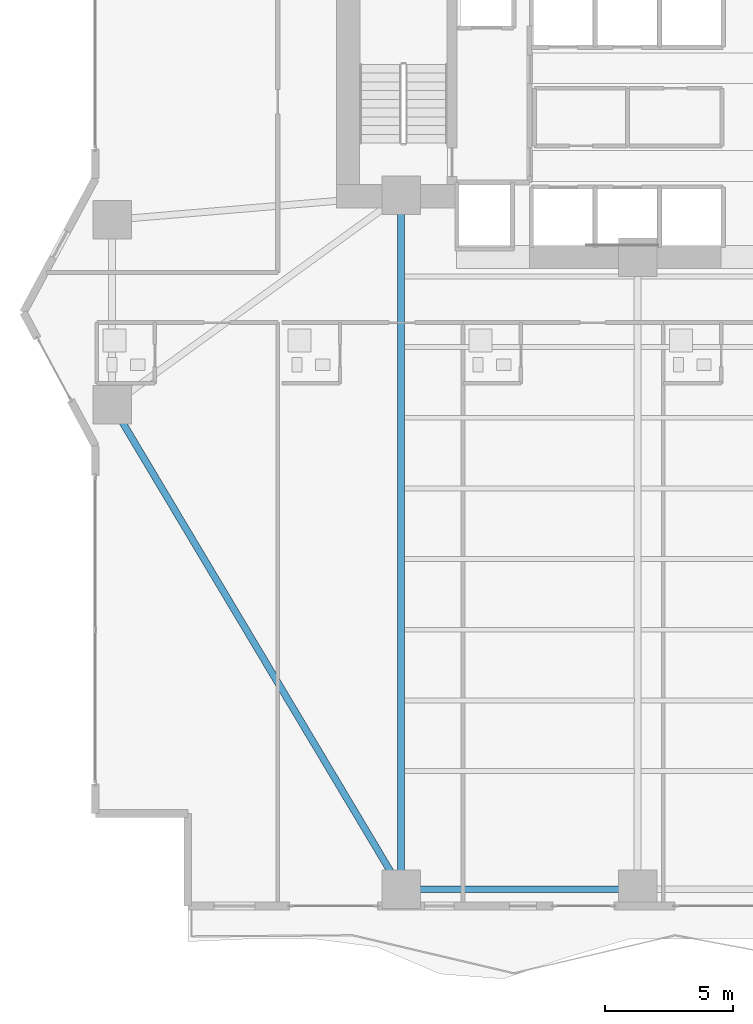
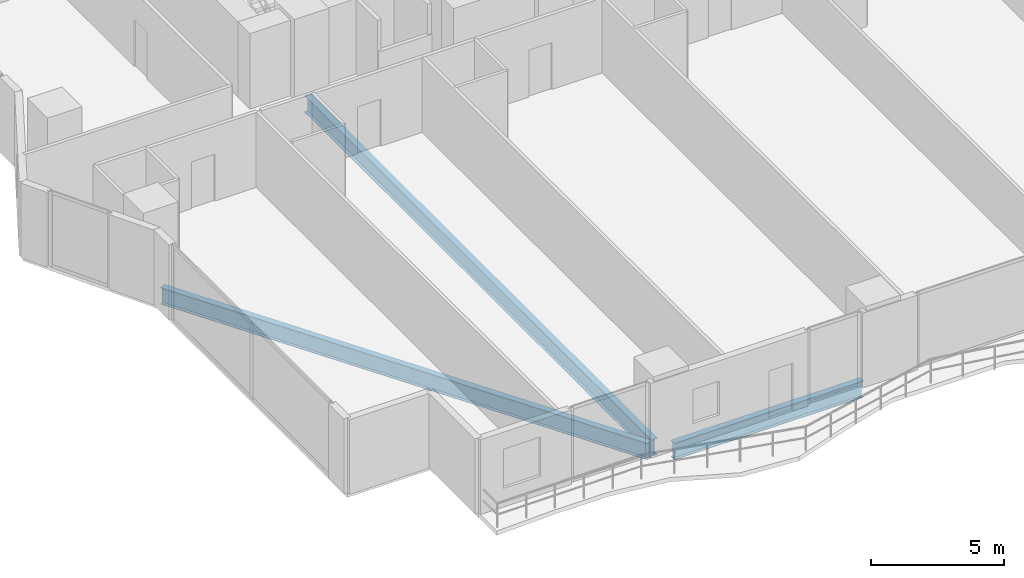
# One storey, part 3 of 28: 3 beams.
"""IFC4 building model written with IfcOpenShell, lengths in metres."""

import ifcopenshell
import ifcopenshell.guid

model = None  # the IFC model being written
_history = None  # IfcOwnerHistory: only IFC2X3 demands one
_inside = {}  # id of a spatial element -> (the spatial element, [elements in it])
_under = {}  # id of a project, library or spatial element -> (it, [spatial elements below it])
_declared = {}  # id of a project -> (the project, [libraries it declares])
_typed = {}  # id of a type object -> (the type object, [elements of that type])
_made_of = {}  # id of a material, layer set ... -> (it, [elements and type objects made of it])


def new_model(schema):
    """Start an empty IFC model of exactly this schema.

    Asked for "IFC4X3", IfcOpenShell would pick the latest addendum, in which some entities
    have other attributes; the version numbers below select the first issue.
    IFC2X3 requires an IfcOwnerHistory on every rooted entity: one is made here for all.
    """
    global model, _history
    if schema == "IFC4X3":
        model = ifcopenshell.file(schema_version=(4, 3, 0, 0))
    else:
        model = ifcopenshell.file(schema=schema)
    _inside.clear()
    _under.clear()
    _declared.clear()
    _typed.clear()
    _made_of.clear()
    _history = None
    if model.schema == "IFC2X3":
        org = make("IfcOrganization", Name="unknown")
        user = make(
            "IfcPersonAndOrganization",
            ThePerson=make("IfcPerson", FamilyName="unknown"),
            TheOrganization=org,
        )
        app = make(
            "IfcApplication",
            ApplicationDeveloper=org,
            Version="unknown",
            ApplicationFullName="unknown",
            ApplicationIdentifier="unknown",
        )
        _history = make(
            "IfcOwnerHistory",
            OwningUser=user,
            OwningApplication=app,
            ChangeAction="ADDED",
            CreationDate=0,
        )
    return model


def make(cls, **values):
    """One entity of the class cls with the attributes given. An attribute that is None is left unset."""
    return model.create_entity(
        cls, **{name: value for name, value in values.items() if value is not None}
    )


def rooted(cls, **values):
    """An entity with a GlobalId (a new one), such as an element, a storey or a relation."""
    return make(cls, GlobalId=ifcopenshell.guid.new(), OwnerHistory=_history, **values)


def si_unit(unit_type, name, prefix=None):
    """IfcSIUnit, for example si_unit("LENGTHUNIT", "METRE", prefix="MILLI")."""
    return make("IfcSIUnit", UnitType=unit_type, Prefix=prefix, Name=name)


def assignment(units):
    """IfcUnitAssignment: the units of a project."""
    return None if units is None else make("IfcUnitAssignment", Units=units)


def point(xyz):
    """IfcCartesianPoint."""
    return None if xyz is None else make("IfcCartesianPoint", Coordinates=xyz)


def direction(xyz):
    """IfcDirection."""
    return None if xyz is None else make("IfcDirection", DirectionRatios=xyz)


def frame(location, z_axis=None, x_axis=None):
    """IfcAxis2Placement3D, a coordinate frame: its origin and axes. An axis left out is left unset."""
    return make(
        "IfcAxis2Placement3D",
        Location=point(location),
        Axis=direction(z_axis),
        RefDirection=direction(x_axis),
    )


def frame_2d(location, x_axis=None):
    """IfcAxis2Placement2D, a coordinate frame in the plane: its origin and x axis."""
    return make(
        "IfcAxis2Placement2D", Location=point(location), RefDirection=direction(x_axis)
    )


def origin():
    """The frame at (0, 0, 0) with its axes left unset."""
    return frame((0.0, 0.0, 0.0))


def origin_2d():
    """The frame at (0, 0) in the plane with its x axis left unset."""
    return frame_2d((0.0, 0.0))


def place(relative_to, where):
    """IfcLocalPlacement: puts the frame where relative to a parent placement (None: the world)."""
    return make(
        "IfcLocalPlacement", PlacementRelTo=relative_to, RelativePlacement=where
    )


def context(
    kind, dimensions, precision=None, world=None, true_north=None, identifier=None
):
    """IfcGeometricRepresentationContext, for example the 3D "Model" context."""
    return make(
        "IfcGeometricRepresentationContext",
        ContextIdentifier=identifier,
        ContextType=kind,
        CoordinateSpaceDimension=dimensions,
        Precision=precision,
        WorldCoordinateSystem=world,
        TrueNorth=true_north,
    )


def subcontext(parent, identifier, kind, view, scale=None):
    """IfcGeometricRepresentationSubContext, for example "Body" below "Model"."""
    return make(
        "IfcGeometricRepresentationSubContext",
        ContextIdentifier=identifier,
        ContextType=kind,
        ParentContext=parent,
        TargetScale=scale,
        TargetView=view,
    )


def project(units=None, contexts=None):
    """IfcProject with its units and contexts."""
    return rooted(
        "IfcProject",
        Name="project",
        RepresentationContexts=contexts,
        UnitsInContext=assignment(units),
    )


def spatial(cls, under=None, at=None, **own):
    """A site, building, storey or space (cls), placed at a placement, below another one or the project."""
    s = rooted(cls, ObjectPlacement=at, **own)
    if under is not None:
        _under.setdefault(under.id(), (under, []))[1].append(s)
    return s


def profile(cls, at=None, kind="AREA", **sizes):
    """A parametric profile (cls). Its sizes go by their IFC names, for example OverallWidth=200.0."""
    return make(cls, ProfileType=kind, Position=at, **sizes)


def i_section(**sizes):
    """IfcIShapeProfileDef."""
    return profile("IfcIShapeProfileDef", **sizes)


def extrude(swept, where, along, depth):
    """IfcExtrudedAreaSolid: the profile swept, set in the frame where, extruded along a direction by depth."""
    return make(
        "IfcExtrudedAreaSolid",
        SweptArea=swept,
        Position=where,
        ExtrudedDirection=direction(along),
        Depth=depth,
    )


def shape(context_of_items, identifier, shape_type, items):
    """IfcShapeRepresentation: the items that make up one representation, for example the "Body"."""
    return make(
        "IfcShapeRepresentation",
        ContextOfItems=context_of_items,
        RepresentationIdentifier=identifier,
        RepresentationType=shape_type,
        Items=items,
    )


def material(Name=None, Category=None):
    """IfcMaterial."""
    return make("IfcMaterial", Name=Name, Category=Category)


def material_profile(
    of_material, cross_section, Name=None, Category=None, Priority=None
):
    """IfcMaterialProfile: a cross section and its material."""
    return make(
        "IfcMaterialProfile",
        Name=Name,
        Material=of_material,
        Profile=cross_section,
        Priority=Priority,
        Category=Category,
    )


def profile_set(profiles, Name=None, composite=None):
    """IfcMaterialProfileSet."""
    return make(
        "IfcMaterialProfileSet",
        Name=Name,
        MaterialProfiles=profiles,
        CompositeProfile=composite,
    )


def made_of(thing, what):
    """Note that an element or type object is made of a material, layer set ...; save() writes the relation."""
    if what is not None:
        _made_of.setdefault(what.id(), (what, []))[1].append(thing)
    return thing


def type_object(cls, material=None, **own):
    """A type object (cls), such as IfcWallType, which elements share."""
    return made_of(rooted(cls, **own), material)


def element(
    cls,
    number,
    at=None,
    inside=None,
    cuts=None,
    type_object=None,
    material=None,
    context=None,
    identifier="Body",
    shape_type=None,
    held_by="IfcProductDefinitionShape",
    body=None,
    shapes=None,
    **own,
):
    """One element of the class cls, such as IfcWall. Its Tag is "e" and its number.

    at: its placement. inside: the storey or other place that contains it. cuts: it is an
    opening in that element (IfcRelVoidsElement). A single representation is given by context,
    identifier, shape_type and body (its items); several are given by shapes. held_by: the class
    of the entity that holds the representations. save() writes the other relations.
    """
    e = rooted(cls, Tag="e%d" % number, ObjectPlacement=at, **own)
    if body is not None:
        shapes = [shape(context, identifier, shape_type, body)]
    if shapes is not None:
        e.Representation = make(held_by, Representations=shapes)
    if inside is not None:
        _inside.setdefault(inside.id(), (inside, []))[1].append(e)
    if cuts is not None:
        rooted(
            "IfcRelVoidsElement", RelatingBuildingElement=cuts, RelatedOpeningElement=e
        )
    if type_object is not None:
        _typed.setdefault(type_object.id(), (type_object, []))[1].append(e)
    return made_of(e, material)


def aggregate(whole, parts):
    """IfcRelAggregates: a whole, such as a stair, and the parts it consists of."""
    return rooted("IfcRelAggregates", RelatingObject=whole, RelatedObjects=parts)


def save(model, path):
    """Write the relations noted so far, then the file.

    IfcRelAggregates (storeys below a building ...), IfcRelContainedInSpatialStructure (elements
    in a storey), IfcRelDefinesByType, IfcRelAssociatesMaterial and IfcRelDeclares: one each for
    every whole, place, type object, material and project.
    """
    for whole, parts in _under.values():
        aggregate(whole, parts)
    for where, things in _inside.values():
        rooted(
            "IfcRelContainedInSpatialStructure",
            RelatedElements=things,
            RelatingStructure=where,
        )
    for kind, things in _typed.values():
        rooted("IfcRelDefinesByType", RelatedObjects=things, RelatingType=kind)
    for what, things in _made_of.values():
        rooted("IfcRelAssociatesMaterial", RelatedObjects=things, RelatingMaterial=what)
    for by, libraries in _declared.values():
        rooted("IfcRelDeclares", RelatingContext=by, RelatedDefinitions=libraries)
    model.write(path)


model = new_model("IFC4")

# Units and contexts
model_context = context("Model", 3, precision=1e-05, world=origin(), true_north=direction((0.0, 1.0)))
body_context = subcontext(model_context, "Body", "Model", "MODEL_VIEW")
ifc_project = project(units=[si_unit("LENGTHUNIT", "METRE"), si_unit("AREAUNIT", "SQUARE_METRE"), si_unit("VOLUMEUNIT", "CUBIC_METRE"), si_unit("PLANEANGLEUNIT", "RADIAN"), si_unit("MASSUNIT", "GRAM", prefix="KILO")], contexts=[model_context])

# Site, building, storey
site_placement = place(None, origin())
site = spatial("IfcSite", under=ifc_project, at=site_placement, CompositionType="ELEMENT")
building_placement = place(site_placement, origin())
building = spatial("IfcBuilding", under=site, at=building_placement, Name="Zuhayl Quay Hotel", CompositionType="ELEMENT")
storey_placement = place(building_placement, frame((0.0, 0.0, 49.5)))
storey = spatial("IfcBuildingStorey", under=building, at=storey_placement, Name="L11", CompositionType="ELEMENT", Elevation=49.5)

# Beams
ifc_material = material(Name="Steel ASTM A992 Grade 50", Category="steel")
ifc_material_profile = material_profile(ifc_material, i_section(OverallWidth=0.26708984375, OverallDepth=0.761962890625, WebThickness=0.014404296875, FlangeThickness=0.021484375, at=origin_2d()), Name="W30X116")
ifc_profile_set = profile_set([ifc_material_profile], Name="Steel ASTM A992 Grade 50")
beam_type = type_object("IfcBeamType", Name="BM_B1_W30X116", PredefinedType="BEAM", material=ifc_profile_set)
beam_1_placement = place(storey_placement, frame((-13.300048828125, -22.449951171875, -0.60107421875), z_axis=(1.0, 0.0, 0.0), x_axis=(0.0, 1.0, 0.0)))
element("IfcBeam", 1, at=beam_1_placement, inside=storey, type_object=beam_type, Name="L11 Floor Beam RG_L11_01", PredefinedType="BEAM", context=body_context, shape_type="SweptSolid", body=[
    extrude(i_section(OverallWidth=0.26708984375, OverallDepth=0.761962890625, WebThickness=0.014404296875, FlangeThickness=0.021484375, at=origin_2d()), origin(), (0.0, 0.0, 1.0), 8.199951171875),
])
beam_2_placement = place(storey_placement, frame((-24.793701171875, -4.029296875, -0.60107421875), z_axis=(0.512482593247, -0.85869761361, 0.0), x_axis=(0.85869761361, 0.512482593247, 0.0)))
element("IfcBeam", 2, at=beam_2_placement, inside=storey, type_object=beam_type, Name="L11 Floor Beam RG_L11_12", PredefinedType="BEAM", context=body_context, shape_type="SweptSolid", body=[
    extrude(i_section(OverallWidth=0.26708984375, OverallDepth=0.761962890625, WebThickness=0.014404296875, FlangeThickness=0.021484375, at=origin_2d()), origin(), (0.0, 0.0, 1.0), 20.9521484375),
])
beam_3_placement = place(storey_placement, frame((-13.800048828125, -21.949951171875, -0.60107421875), z_axis=(0.0, 1.0, 0.0), x_axis=(-1.0, 0.0, 0.0)))
element("IfcBeam", 3, at=beam_3_placement, inside=storey, type_object=beam_type, Name="L11 Floor Beam FG_S_L11_1", PredefinedType="BEAM", context=body_context, shape_type="SweptSolid", body=[
    extrude(i_section(OverallWidth=0.26708984375, OverallDepth=0.761962890625, WebThickness=0.014404296875, FlangeThickness=0.021484375, at=origin_2d()), origin(), (0.0, 0.0, 1.0), 26.050048828125),
])

save(model, "model.ifc")
